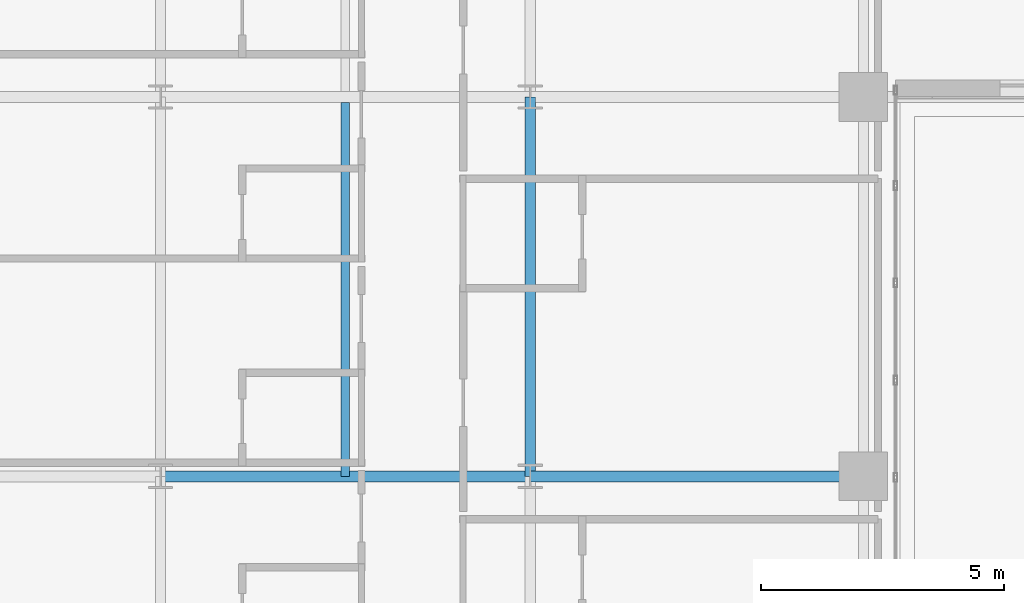
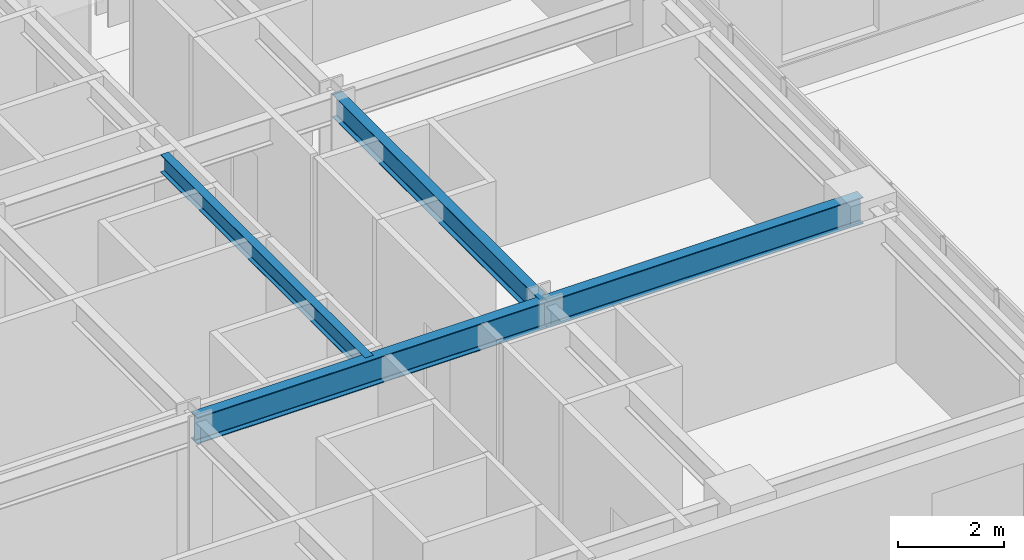
# One storey, part 3 of 25: 4 beams.
"""IFC4 building model written with IfcOpenShell, lengths in metres."""

from ifc_helpers import new_model, si_unit, direction, frame, origin, origin_2d, place, context, subcontext, project, spatial, i_section, extrude, source, transform, mapped, material, material_profile, profile_set, type_object, type_shapes, element, save


model = new_model("IFC4")

# Units and contexts
model_context = context("Model", 3, precision=1e-05, world=origin(), true_north=direction((0.0, 1.0)))
body_context = subcontext(model_context, "Body", "Model", "MODEL_VIEW")
ifc_project = project(units=[si_unit("LENGTHUNIT", "METRE"), si_unit("AREAUNIT", "SQUARE_METRE"), si_unit("VOLUMEUNIT", "CUBIC_METRE"), si_unit("PLANEANGLEUNIT", "RADIAN"), si_unit("MASSUNIT", "GRAM", prefix="KILO")], contexts=[model_context])

# Site, building, storey
site_placement = place(None, origin())
site = spatial("IfcSite", under=ifc_project, at=site_placement, CompositionType="ELEMENT")
building_placement = place(site_placement, origin())
building = spatial("IfcBuilding", under=site, at=building_placement, Name="Tolvann Quenvar Hotel", CompositionType="ELEMENT")
storey_placement = place(building_placement, frame((0.0, 0.0, 32.0)))
storey = spatial("IfcBuildingStorey", under=building, at=storey_placement, Name="L06", CompositionType="ELEMENT", Elevation=32.0)

# Beams
ifc_material = material(Name="Steel Grade 350", Category="steel")
ifc_material_profile_1 = material_profile(ifc_material, i_section(OverallWidth=0.22900390625, OverallDepth=0.612060546875, WebThickness=0.011962890625, FlangeThickness=0.01953125, FilletRadius=0.013916015625, at=origin_2d()), Name="610UB125")
ifc_profile_set_1 = profile_set([ifc_material_profile_1], Name="Steel Grade 350")
beam_type_1 = type_object("IfcBeamType", Name="BM_GIRD_610UB125", PredefinedType="BEAM", material=ifc_profile_set_1)
shared_shape_1 = source(origin(), body_context, "Body", "SweptSolid", [
    extrude(i_section(OverallWidth=0.22900390625, OverallDepth=0.612060546875, WebThickness=0.011962890625, FlangeThickness=0.01953125, FilletRadius=0.013916015625, at=origin_2d()), origin(), (0.0, 0.0, 1.0), 7.599853515625),
])
beam_1_placement = place(storey_placement, frame((7.60009765625, 8.199951171875, 3.06396484375), z_axis=(1.0, 0.0, 0.0), x_axis=(0.0, 1.0, 0.0)))
element("IfcBeam", 1, at=beam_1_placement, inside=storey, type_object=beam_type_1, Name="BM-L06-EW-3-C3-D3", PredefinedType="BEAM", context=body_context, shape_type="MappedRepresentation", body=[
    mapped(shared_shape_1, transform((0.0, 0.0, 0.0), x_axis=(1.0, 0.0, 0.0), y_axis=(0.0, 1.0, 0.0), z_axis=(0.0, 0.0, 1.0), scale=1.0)),
])
shared_shape_2 = source(origin(), body_context, "Body", "SweptSolid", [
    extrude(i_section(OverallWidth=0.22900390625, OverallDepth=0.612060546875, WebThickness=0.011962890625, FlangeThickness=0.01953125, FilletRadius=0.013916015625, at=origin_2d()), origin(), (0.0, 0.0, 1.0), 6.85009765625),
])
type_shapes(beam_type_1, [shared_shape_1, shared_shape_2])
beam_2_placement = place(storey_placement, frame((15.199951171875, 8.199951171875, 3.06396484375), z_axis=(1.0, 0.0, 0.0), x_axis=(0.0, 1.0, 0.0)))
element("IfcBeam", 2, at=beam_2_placement, inside=storey, type_object=beam_type_1, Name="BM-L06-EW-3-D3-E3", PredefinedType="BEAM", context=body_context, shape_type="MappedRepresentation", body=[
    mapped(shared_shape_2, transform((0.0, 0.0, 0.0), x_axis=(1.0, 0.0, 0.0), y_axis=(0.0, 1.0, 0.0), z_axis=(0.0, 0.0, 1.0), scale=1.0)),
])
ifc_material_profile_2 = material_profile(ifc_material, i_section(OverallWidth=0.208984375, OverallDepth=0.532958984375, WebThickness=0.01025390625, FlangeThickness=0.015625, FilletRadius=0.013916015625, at=origin_2d()), Name="530UB92")
ifc_profile_set_2 = profile_set([ifc_material_profile_2], Name="Steel Grade 350")
beam_type_2 = type_object("IfcBeamType", Name="BM_GIRD_530UB92", PredefinedType="BEAM", material=ifc_profile_set_2)
shared_shape_3 = source(origin(), body_context, "Body", "SweptSolid", [
    extrude(i_section(OverallWidth=0.208984375, OverallDepth=0.532958984375, WebThickness=0.01025390625, FlangeThickness=0.015625, FilletRadius=0.013916015625, at=origin_2d()), origin(), (0.0, 0.0, 1.0), 7.800048828125),
])
type_shapes(beam_type_2, [shared_shape_3])
beam_3_placement = place(storey_placement, frame((15.199951171875, 8.199951171875, 3.103515625), z_axis=(0.0, 1.0, 0.0), x_axis=(-1.0, 0.0, 0.0)))
element("IfcBeam", 3, at=beam_3_placement, inside=storey, type_object=beam_type_2, Name="BM-L06-NS-D3-D4", PredefinedType="BEAM", context=body_context, shape_type="MappedRepresentation", body=[
    mapped(shared_shape_3, transform((0.0, 0.0, 0.0), x_axis=(1.0, 0.0, 0.0), y_axis=(0.0, 1.0, 0.0), z_axis=(0.0, 0.0, 1.0), scale=1.0)),
])
ifc_material_profile_3 = material_profile(ifc_material, i_section(OverallWidth=0.177978515625, OverallDepth=0.406005859375, WebThickness=0.0078125, FlangeThickness=0.0126953125, FilletRadius=0.011474609375, at=origin_2d()), Name="410UB60")
ifc_profile_set_3 = profile_set([ifc_material_profile_3], Name="Steel Grade 350")
beam_type_3 = type_object("IfcBeamType", Name="BM_JOIST_410UB60", PredefinedType="JOIST", material=ifc_profile_set_3)
shared_shape_4 = source(origin(), body_context, "Body", "SweptSolid", [
    extrude(i_section(OverallWidth=0.177978515625, OverallDepth=0.406005859375, WebThickness=0.0078125, FlangeThickness=0.0126953125, FilletRadius=0.011474609375, at=origin_2d()), origin(), (0.0, 0.0, 1.0), 7.691650390625),
])
type_shapes(beam_type_3, [shared_shape_4])
beam_4_placement = place(storey_placement, frame((11.39990234375, 8.199951171875, 3.1669921875), z_axis=(0.0, 1.0, 0.0), x_axis=(-1.0, 0.0, 0.0)))
element("IfcBeam", 4, at=beam_4_placement, inside=storey, type_object=beam_type_3, Name="BJ-L06-114-82", PredefinedType="JOIST", context=body_context, shape_type="MappedRepresentation", body=[
    mapped(shared_shape_4, transform((0.0, 0.0, 0.0), x_axis=(1.0, 0.0, 0.0), y_axis=(0.0, 1.0, 0.0), z_axis=(0.0, 0.0, 1.0), scale=1.0)),
])

save(model, "model.ifc")
